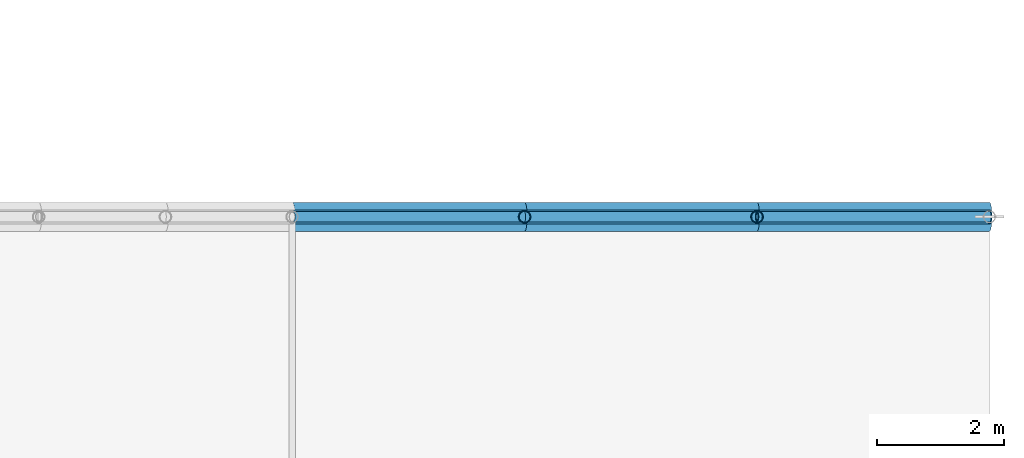
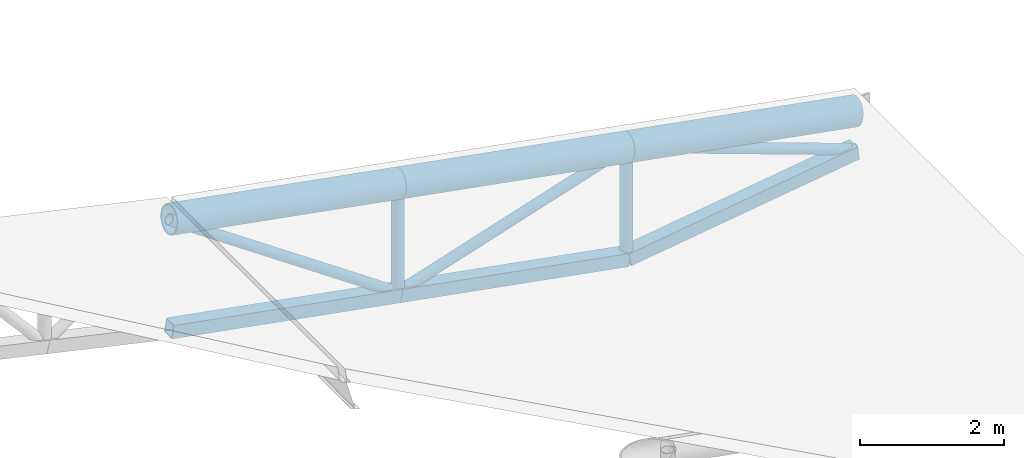
# One storey, part 20 of 28: 8 members, 3 beams.
"""IFC4 building model written with IfcOpenShell, lengths in metres."""

from ifc_helpers import new_model, si_unit, direction, frame, origin, origin_2d, place, context, subcontext, project, spatial, hollow_rectangle, hollow_circle, extrude, material, material_profile, profile_set, type_object, element, save


model = new_model("IFC4")

# Units and contexts
model_context = context("Model", 3, precision=1e-05, world=origin(), true_north=direction((0.0, 1.0)))
body_context = subcontext(model_context, "Body", "Model", "MODEL_VIEW")
ifc_project = project(units=[si_unit("LENGTHUNIT", "METRE"), si_unit("AREAUNIT", "SQUARE_METRE"), si_unit("VOLUMEUNIT", "CUBIC_METRE"), si_unit("PLANEANGLEUNIT", "RADIAN"), si_unit("MASSUNIT", "GRAM", prefix="KILO"), si_unit("THERMODYNAMICTEMPERATUREUNIT", "KELVIN"), si_unit("POWERUNIT", "WATT")], contexts=[model_context])

# Site, building, storey
site_placement = place(None, origin())
site = spatial("IfcSite", under=ifc_project, at=site_placement, CompositionType="ELEMENT")
building_placement = place(site_placement, origin())
building = spatial("IfcBuilding", under=site, at=building_placement, Name="Tepalcoro Natatorium and Aquatics Centre", CompositionType="ELEMENT")
storey_placement = place(building_placement, frame((0.0, 0.0, 23.199951171875)))
storey = spatial("IfcBuildingStorey", under=building, at=storey_placement, Name="RF", CompositionType="ELEMENT", Elevation=23.199951171875)

# Beams
ifc_material = material(Name="Terracotta Painted Hollow Steel ASTM A500 Grade C (Fy 345 MPa)", Category="masonry")
ifc_material_profile_1 = material_profile(ifc_material, hollow_circle(Radius=0.228515625, WallThickness=0.02001953125, at=origin_2d()), Name="CHS457X20")
ifc_profile_set_1 = profile_set([ifc_material_profile_1], Name="Terracotta Painted Hollow Steel ASTM A500 Grade C (Fy 345 MPa)")
beam_type = type_object("IfcBeamType", Name="AC_CHS457x20", PredefinedType="USERDEFINED", material=ifc_profile_set_1)
beam_1_placement = place(storey_placement, frame((165.0, 59.0, -1.681396484375), z_axis=(0.983704964567, 0.0, -0.179790274169), x_axis=(0.0, 1.0, 0.0)))
element("IfcBeam", 1, at=beam_1_placement, inside=storey, type_object=beam_type, Name="V2 Barrel-Arch Top Chord 8", ObjectType="ARCH CHORD", PredefinedType="USERDEFINED", context=body_context, shape_type="SweptSolid", body=[
    extrude(hollow_circle(Radius=0.228515625, WallThickness=0.02001953125, at=origin_2d()), origin(), (0.0, 0.0, 1.0), 3.7275390625),
])
beam_2_placement = place(storey_placement, frame((168.666748046875, 59.0, -2.3515625), z_axis=(0.983714430655, 0.0, -0.179738473679), x_axis=(0.0, 1.0, 0.0)))
element("IfcBeam", 2, at=beam_2_placement, inside=storey, type_object=beam_type, Name="V2 Barrel-Arch Top Chord 8", ObjectType="ARCH CHORD", PredefinedType="USERDEFINED", context=body_context, shape_type="SweptSolid", body=[
    extrude(hollow_circle(Radius=0.228515625, WallThickness=0.02001953125, at=origin_2d()), origin(), (0.0, 0.0, 1.0), 3.727294921875),
])
beam_3_placement = place(storey_placement, frame((172.333251953125, 59.0, -3.021484375), z_axis=(0.983716546565, 0.0, -0.179726892854), x_axis=(0.0, 1.0, 0.0)))
element("IfcBeam", 3, at=beam_3_placement, inside=storey, type_object=beam_type, Name="V2 Barrel-Arch Top Chord 8", ObjectType="ARCH CHORD", PredefinedType="USERDEFINED", context=body_context, shape_type="SweptSolid", body=[
    extrude(hollow_circle(Radius=0.228515625, WallThickness=0.02001953125, at=origin_2d()), origin(), (0.0, 0.0, 1.0), 3.7275390625),
])

# Members
ifc_material_profile_2 = material_profile(ifc_material, hollow_rectangle(XDim=0.219970703125, YDim=0.219970703125, WallThickness=0.011962890625, at=origin_2d()), Name="HSS220X220X12")
ifc_profile_set_2 = profile_set([ifc_material_profile_2], Name="Terracotta Painted Hollow Steel ASTM A500 Grade C (Fy 345 MPa)")
member_type_1 = type_object("IfcMemberType", Name="MB_CH_HSS220x220x12", PredefinedType="CHORD", material=ifc_profile_set_2)
member_1_placement = place(storey_placement, frame((165.0, 59.0, -3.531494140625), z_axis=(0.983716546565, 0.0, -0.179726892854), x_axis=(0.0, 1.0, 0.0)))
element("IfcMember", 4, at=member_1_placement, inside=storey, type_object=member_type_1, Name="V2 Barrel-Arch Bottom Chord 8", PredefinedType="CHORD", context=body_context, shape_type="SweptSolid", body=[
    extrude(hollow_rectangle(XDim=0.219970703125, YDim=0.219970703125, WallThickness=0.011962890625, at=origin_2d()), origin(), (0.0, 0.0, 1.0), 3.7275390625),
])
member_2_placement = place(storey_placement, frame((168.666748046875, 59.0, -4.201416015625), z_axis=(0.983714430655, 0.0, -0.179738473679), x_axis=(0.0, 1.0, 0.0)))
element("IfcMember", 5, at=member_2_placement, inside=storey, type_object=member_type_1, Name="V2 Barrel-Arch Bottom Chord 8", PredefinedType="CHORD", context=body_context, shape_type="SweptSolid", body=[
    extrude(hollow_rectangle(XDim=0.219970703125, YDim=0.219970703125, WallThickness=0.011962890625, at=origin_2d()), origin(), (0.0, 0.0, 1.0), 3.727294921875),
])
member_3_placement = place(storey_placement, frame((172.333251953125, 59.0, -4.871337890625), z_axis=(0.989722865274, 0.0, 0.14299877606), x_axis=(0.0, 1.0, 0.0)))
element("IfcMember", 6, at=member_3_placement, inside=storey, type_object=member_type_1, Name="V2 Barrel-Arch Bottom Chord 8", PredefinedType="CHORD", context=body_context, shape_type="SweptSolid", body=[
    extrude(hollow_rectangle(XDim=0.219970703125, YDim=0.219970703125, WallThickness=0.011962890625, at=origin_2d()), origin(), (0.0, 0.0, 1.0), 3.704833984375),
])
ifc_material_profile_3 = material_profile(ifc_material, hollow_circle(Radius=0.096923828125, WallThickness=0.010009765625, at=origin_2d()), Name="CHS194X10")
ifc_profile_set_3 = profile_set([ifc_material_profile_3], Name="Terracotta Painted Hollow Steel ASTM A500 Grade C (Fy 345 MPa)")
member_type_2 = type_object("IfcMemberType", Name="MB_PS_CHS194x10", PredefinedType="POST", material=ifc_profile_set_3)
for number, where, z_axis, x_axis, name in (
    (7, (168.666748046875, 59.0, -4.201416015625), (0.0, 0.0, 1.0), (1.0, 0.0, 0.0), "V2 Barrel-Arch Post 8"),
    (8, (172.333251953125, 59.0, -4.871337890625), (0.0, 0.0, 1.0), (1.0, 0.0, 0.0), "V2 Barrel-Arch Post 8"),
):
    element("IfcMember", number, at=place(storey_placement, frame(where, z_axis=z_axis, x_axis=x_axis)), inside=storey, type_object=member_type_2, Name=name, PredefinedType="POST", context=body_context, shape_type="SweptSolid", body=[
        extrude(hollow_circle(Radius=0.096923828125, WallThickness=0.010009765625, at=origin_2d()), origin(), (0.0, 0.0, 1.0), 1.849853515625),
    ])
ifc_material_profile_4 = material_profile(ifc_material, hollow_circle(Radius=0.083984375, WallThickness=0.011962890625, at=origin_2d()), Name="CHS168X12")
ifc_profile_set_4 = profile_set([ifc_material_profile_4], Name="Terracotta Painted Hollow Steel ASTM A500 Grade C (Fy 345 MPa)")
member_type_3 = type_object("IfcMemberType", Name="MB_ST_CHS168x12", PredefinedType="STRUT", material=ifc_profile_set_4)
member_4_placement = place(storey_placement, frame((165.0, 59.0, -1.681396484375), z_axis=(0.82413317395, 0.0, -0.566396073075), x_axis=(0.0, 1.0, 0.0)))
element("IfcMember", 9, at=member_4_placement, inside=storey, type_object=member_type_3, Name="V2 Barrel-Arch Web Diagonal 8", PredefinedType="STRUT", context=body_context, shape_type="SweptSolid", body=[
    extrude(hollow_circle(Radius=0.083984375, WallThickness=0.011962890625, at=origin_2d()), origin(), (0.0, 0.0, 1.0), 4.44921875),
])
member_5_placement = place(storey_placement, frame((168.666748046875, 59.0, -4.201416015625), z_axis=(0.951921664085, 0.0, 0.306341550308), x_axis=(0.0, 1.0, 0.0)))
element("IfcMember", 10, at=member_5_placement, inside=storey, type_object=member_type_3, Name="V2 Barrel-Arch Web Diagonal 8", PredefinedType="STRUT", context=body_context, shape_type="SweptSolid", body=[
    extrude(hollow_circle(Radius=0.083984375, WallThickness=0.011962890625, at=origin_2d()), origin(), (0.0, 0.0, 1.0), 3.851806640625),
])
member_6_placement = place(storey_placement, frame((172.333251953125, 59.0, -3.021484375), z_axis=(0.9408842174, 0.0, -0.338728341666), x_axis=(0.0, 1.0, 0.0)))
element("IfcMember", 11, at=member_6_placement, inside=storey, type_object=member_type_3, Name="V2 Barrel-Arch Web Diagonal 8", PredefinedType="STRUT", context=body_context, shape_type="SweptSolid", body=[
    extrude(hollow_circle(Radius=0.083984375, WallThickness=0.011962890625, at=origin_2d()), origin(), (0.0, 0.0, 1.0), 3.897216796875),
])

save(model, "model.ifc")
